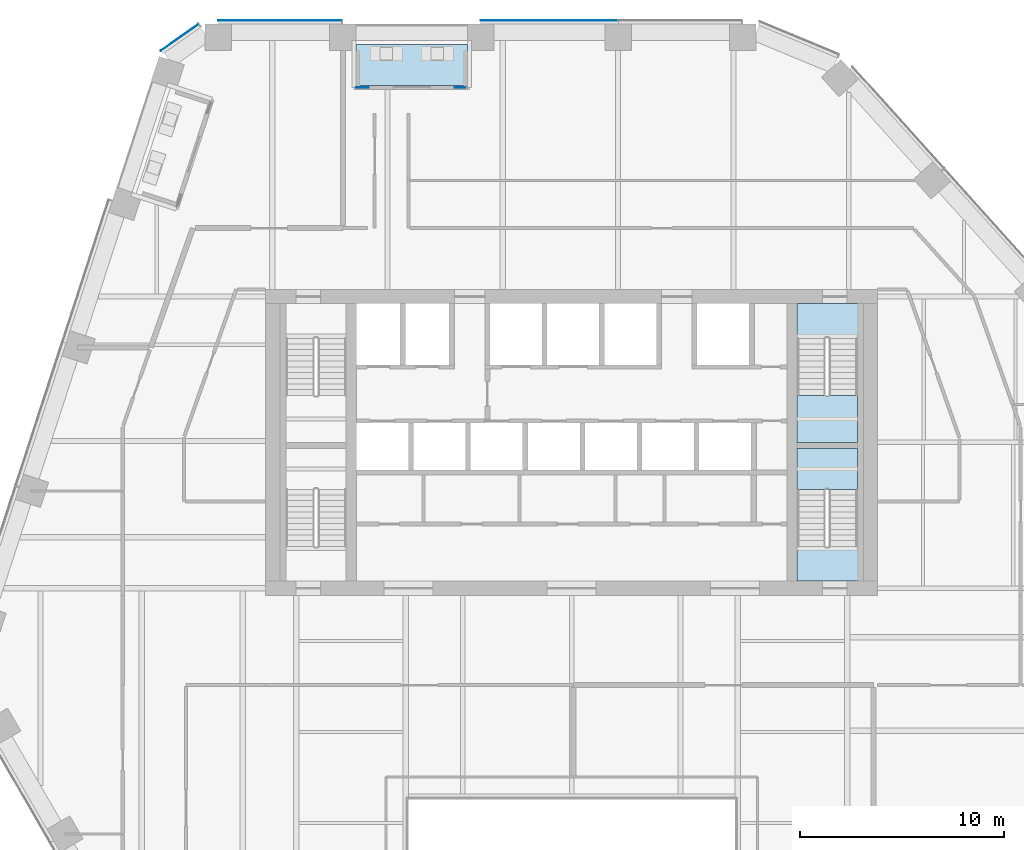
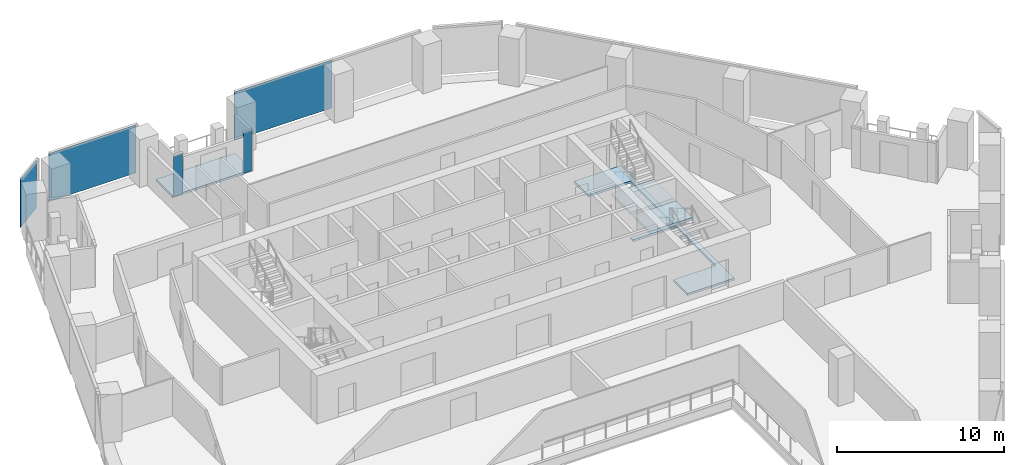
# One storey, part 17 of 26: 5 plates, 4 slabs, 5 elements without a shape of their own.
"""IFC4 building model written with IfcOpenShell, lengths in metres."""

from ifc_helpers import new_model, si_unit, direction, frame, origin, origin_2d, place, context, subcontext, project, spatial, polyline, rectangle, outline, extrude, material, layer, layer_set, type_object, element, aggregate, save


model = new_model("IFC4")

# Units and contexts
model_context = context("Model", 3, precision=1e-05, world=origin(), true_north=direction((0.0, 1.0)))
body_context = subcontext(model_context, "Body", "Model", "MODEL_VIEW")
ifc_project = project(units=[si_unit("LENGTHUNIT", "METRE"), si_unit("AREAUNIT", "SQUARE_METRE"), si_unit("VOLUMEUNIT", "CUBIC_METRE"), si_unit("PLANEANGLEUNIT", "RADIAN"), si_unit("MASSUNIT", "GRAM", prefix="KILO")], contexts=[model_context])

# Site, building, storey
site_placement = place(None, origin())
site = spatial("IfcSite", under=ifc_project, at=site_placement, CompositionType="ELEMENT")
building_placement = place(site_placement, origin())
building = spatial("IfcBuilding", under=site, at=building_placement, Name="Isthmus Gate Tower", CompositionType="ELEMENT")
storey_placement = place(building_placement, frame((0.0, 0.0, 189.050048828125)))
storey = spatial("IfcBuildingStorey", under=building, at=storey_placement, Name="L47", CompositionType="ELEMENT", Elevation=189.050048828125)

# Slab
ifc_material_1 = material(Name="Concrete f'c 40 MPa", Category="concrete")
ifc_layer_1 = layer(ifc_material_1, 0.14990234375)
ifc_layer_set_1 = layer_set([ifc_layer_1], Name="CORE FLOOR SLAB 150")
slab_type_1 = type_object("IfcSlabType", Name="CORE FLOOR SLAB 150", PredefinedType="FLOOR", material=ifc_layer_set_1)
slab_1_placement = place(storey_placement, frame((0.0, 0.0, -0.150146484375)))
element("IfcSlab", 1, at=slab_1_placement, inside=storey, type_object=slab_type_1, Name="L47 core floor", PredefinedType="FLOOR", context=body_context, shape_type="SweptSolid", body=[
    extrude(outline(polyline([(11.050048828125, 14.300048828125), (11.050048828125, 12.597900390625), (14.0, 12.597900390625), (14.0, 7.5), (11.050048828125, 7.5), (11.050048828125, 7.199951171875), (14.0, 7.199951171875), (14.0, 2.402099609375), (11.050048828125, 2.402099609375), (11.050048828125, 0.699951171875), (14.300048828125, 0.699951171875), (14.300048828125, 14.300048828125), (11.050048828125, 14.300048828125)])), origin(), (0.0, 0.0, 1.0), 0.150146484375),
])

# Curtain wall, plates
ifc_material_2 = material(Name="Aluminium, pale champagne anodised", Category="aluminium")
ifc_layer_2 = layer(ifc_material_2, 0.199951171875)
ifc_layer_set_2 = layer_set([ifc_layer_2], Name="CW-1 UNITISED CURTAIN WALL 200 DEEP")
curtain_wall_type_1 = type_object("IfcCurtainWallType", Name="CW-1 UNITISED CURTAIN WALL 200 DEEP", PredefinedType="NOTDEFINED", material=ifc_layer_set_2)
curtain_wall_1_placement = place(storey_placement, origin())
curtain_wall_1 = element("IfcCurtainWall", 2, at=curtain_wall_1_placement, inside=storey, type_object=curtain_wall_type_1, Name="CW-1 N L47", PredefinedType="NOTDEFINED")
ifc_material_3 = material(Name="Laminated low-iron glass, pale blue tint", Category="glass")
ifc_layer_3 = layer(ifc_material_3, 0.035888671875)
ifc_layer_set_3 = layer_set([ifc_layer_3], Name="CW-1 CLEAR GLASS LITE 36")
plate_type_1 = type_object("IfcPlateType", Name="CW-1 CLEAR GLASS LITE 36", PredefinedType="CURTAIN_PANEL", material=ifc_layer_set_3)
plate_1_placement = place(storey_placement, frame((-1.086669921875, 28.181884765625, 0.0), z_axis=(0.0, 0.0, 1.0), x_axis=(-1.0, 0.0, 0.0)))
plate_1 = element("IfcPlate", 3, at=plate_1_placement, type_object=plate_type_1, Name="CW-1 glass lite", PredefinedType="CURTAIN_PANEL", context=body_context, shape_type="SweptSolid", body=[
    extrude(rectangle(XDim=6.750244140625, YDim=0.035888671875, at=origin_2d()), origin(), (0.0, 0.0, 1.0), 3.510009765625),
])
plate_2_placement = place(storey_placement, frame((-14.2919921875, 28.181884765625, 0.0), z_axis=(0.0, 0.0, 1.0), x_axis=(-1.0, 0.0, 0.0)))
plate_2 = element("IfcPlate", 4, at=plate_2_placement, type_object=plate_type_1, Name="CW-1 glass lite", PredefinedType="CURTAIN_PANEL", context=body_context, shape_type="SweptSolid", body=[
    extrude(rectangle(XDim=6.0400390625, YDim=0.035888671875, at=origin_2d()), origin(), (0.0, 0.0, 1.0), 3.510009765625),
])
aggregate(curtain_wall_1, [plate_1, plate_2])

# Curtain wall, plate
curtain_wall_2_placement = place(storey_placement, origin())
curtain_wall_2 = element("IfcCurtainWall", 5, at=curtain_wall_2_placement, inside=storey, type_object=curtain_wall_type_1, Name="CW-1 N-NW L47", PredefinedType="NOTDEFINED")
plate_3_placement = place(storey_placement, frame((-19.2119140625, 27.343017578125, 0.0), z_axis=(0.0, 0.0, 1.0), x_axis=(-0.81785959165, -0.57541783805, 0.0)))
plate_3 = element("IfcPlate", 6, at=plate_3_placement, type_object=plate_type_1, Name="CW-1 glass lite", PredefinedType="CURTAIN_PANEL", context=body_context, shape_type="SweptSolid", body=[
    extrude(rectangle(XDim=2.258544921875, YDim=0.035888671875, at=origin_2d()), origin(), (0.0, 0.0, 1.0), 3.510009765625),
])
aggregate(curtain_wall_2, [plate_3])

# Curtain wall, plates
ifc_material_4 = material(Name="Aluminium, pale champagne anodised", Category="aluminium")
ifc_layer_4 = layer(ifc_material_4, 0.14990234375)
ifc_layer_set_4 = layer_set([ifc_layer_4], Name="CW-6 LOGGIA BACK WALL GLAZING 150 DEEP")
curtain_wall_type_2 = type_object("IfcCurtainWallType", Name="CW-6 LOGGIA BACK WALL GLAZING 150 DEEP", PredefinedType="NOTDEFINED", material=ifc_layer_set_4)
curtain_wall_3_placement = place(storey_placement, origin())
curtain_wall_3 = element("IfcCurtainWall", 7, at=curtain_wall_3_placement, inside=storey, type_object=curtain_wall_type_2, Name="CW-6 N L47", PredefinedType="NOTDEFINED")
ifc_material_5 = material(Name="Laminated low-iron glass, clear", Category="glass")
ifc_layer_5 = layer(ifc_material_5, 0.031982421875)
ifc_layer_set_5 = layer_set([ifc_layer_5], Name="CW-6 CLEAR GLASS LITE 32")
plate_type_2 = type_object("IfcPlateType", Name="CW-6 CLEAR GLASS LITE 32", PredefinedType="CURTAIN_PANEL", material=ifc_layer_set_5)
plate_4_placement = place(storey_placement, frame((-5.454345703125, 24.89990234375, 0.0), z_axis=(0.0, 0.0, 1.0), x_axis=(-1.0, 0.0, 0.0)))
plate_4 = element("IfcPlate", 8, at=plate_4_placement, type_object=plate_type_2, Name="CW-6 glass lite", PredefinedType="CURTAIN_PANEL", context=body_context, shape_type="SweptSolid", body=[
    extrude(rectangle(XDim=0.565185546875, YDim=0.031982421875, at=origin_2d()), origin(), (0.0, 0.0, 1.0), 2.929931640625),
])
plate_5_placement = place(storey_placement, frame((-10.249267578125, 24.89990234375, 0.0), z_axis=(0.0, 0.0, 1.0), x_axis=(-1.0, 0.0, 0.0)))
plate_5 = element("IfcPlate", 9, at=plate_5_placement, type_object=plate_type_2, Name="CW-6 glass lite", PredefinedType="CURTAIN_PANEL", context=body_context, shape_type="SweptSolid", body=[
    extrude(rectangle(XDim=0.625, YDim=0.031982421875, at=origin_2d()), origin(), (0.0, 0.0, 1.0), 2.929931640625),
])
aggregate(curtain_wall_3, [plate_4, plate_5])

# Slab
ifc_material_6 = material(Name="Concrete f'c 50 MPa", Category="concrete")
ifc_layer_6 = layer(ifc_material_6, 0.14990234375)
ifc_layer_set_6 = layer_set([ifc_layer_6], Name="LOGGIA FLOOR SLAB 150")
slab_type_2 = type_object("IfcSlabType", Name="LOGGIA FLOOR SLAB 150", PredefinedType="FLOOR", material=ifc_layer_set_6)
slab_2_placement = place(storey_placement, frame((0.0, 0.0, -0.150146484375)))
element("IfcSlab", 10, at=slab_2_placement, inside=storey, type_object=slab_type_2, Name="LOGGIA FLOOR", PredefinedType="FLOOR", context=body_context, shape_type="SweptSolid", body=[
    extrude(outline(polyline([(-5.11181640625, 27.0), (-10.561767578125, 27.0), (-10.561767578125, 25.0), (-5.11181640625, 25.0), (-5.11181640625, 27.0)])), origin(), (0.0, 0.0, 1.0), 0.150146484375),
])

# Stair, slab
ifc_material_7 = material(Name="Concrete f'c 40 MPa", Category="concrete")
stair_type = type_object("IfcStairType", Name="CORE STAIR 22 RISERS", PredefinedType="HALF_TURN_STAIR", material=ifc_material_7)
stair_1_placement = place(storey_placement, origin())
stair_1 = element("IfcStair", 11, at=stair_1_placement, inside=storey, type_object=stair_type, Name="L47 Exit Stair 2", PredefinedType="HALF_TURN_STAIR")
ifc_material_8 = material(Name="Concrete f'c 40 MPa", Category="concrete")
ifc_layer_7 = layer(ifc_material_8, 0.199951171875)
ifc_layer_set_7 = layer_set([ifc_layer_7])
slab_type_3 = type_object("IfcSlabType", Name="STAIR LANDING RC 200", PredefinedType="LANDING", material=ifc_layer_set_7)
slab_3_placement = place(storey_placement, frame((0.0, 0.0, 1.625)))
slab_3 = element("IfcSlab", 12, at=slab_3_placement, type_object=slab_type_3, Name="ST2 landing 1", PredefinedType="LANDING", context=body_context, shape_type="SweptSolid", body=[
    extrude(outline(polyline([(11.050048828125, 9.800048828125), (11.050048828125, 7.5), (14.0, 7.5), (14.0, 9.800048828125), (11.050048828125, 9.800048828125)])), origin(), (0.0, 0.0, 1.0), 0.199951171875),
])
aggregate(stair_1, [slab_3])

stair_2_placement = place(storey_placement, origin())
stair_2 = element("IfcStair", 13, at=stair_2_placement, inside=storey, type_object=stair_type, Name="L47 Exit Stair 8", PredefinedType="HALF_TURN_STAIR")
slab_4_placement = place(storey_placement, frame((0.0, 0.0, 1.625)))
slab_4 = element("IfcSlab", 14, at=slab_4_placement, type_object=slab_type_3, Name="ST8 landing 1", PredefinedType="LANDING", context=body_context, shape_type="SweptSolid", body=[
    extrude(outline(polyline([(14.0, 5.199951171875), (14.0, 7.199951171875), (11.050048828125, 7.199951171875), (11.050048828125, 5.199951171875), (14.0, 5.199951171875)])), origin(), (0.0, 0.0, 1.0), 0.199951171875),
])
aggregate(stair_2, [slab_4])

save(model, "model.ifc")
